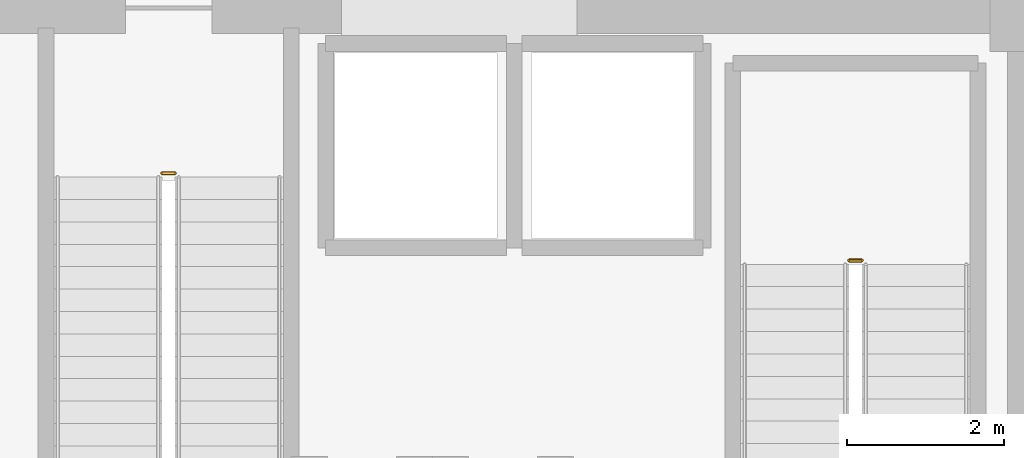
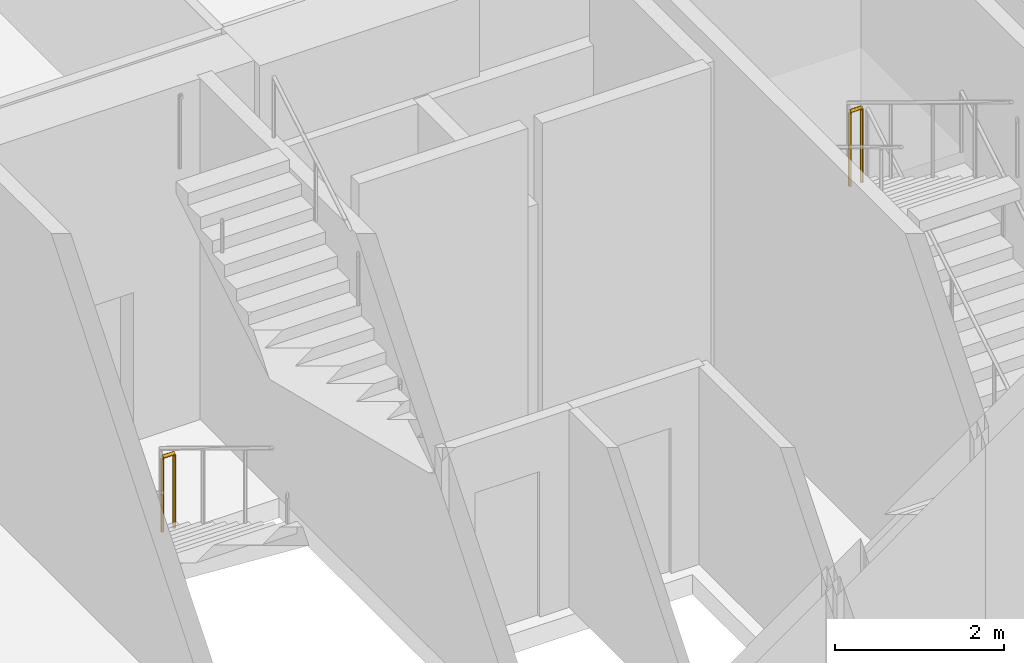
# One storey, part 43 of 45: 2 railings.
"""IFC4 building model written with IfcOpenShell, lengths in metres."""

from ifc_helpers import new_model, si_unit, direction, frame, origin, origin_2d, place, context, subcontext, project, spatial, circle, extrude, material, type_object, element, save


model = new_model("IFC4")

# Units and contexts
model_context = context("Model", 3, precision=1e-05, world=origin(), true_north=direction((0.0, 1.0)))
body_context = subcontext(model_context, "Body", "Model", "MODEL_VIEW")
ifc_project = project(units=[si_unit("LENGTHUNIT", "METRE"), si_unit("AREAUNIT", "SQUARE_METRE"), si_unit("VOLUMEUNIT", "CUBIC_METRE"), si_unit("PLANEANGLEUNIT", "RADIAN"), si_unit("MASSUNIT", "GRAM", prefix="KILO")], contexts=[model_context])

# Site, building, storey
site_placement = place(None, origin())
site = spatial("IfcSite", under=ifc_project, at=site_placement, CompositionType="ELEMENT")
building_placement = place(site_placement, origin())
building = spatial("IfcBuilding", under=site, at=building_placement, Name="Kovane Verandah Tower", CompositionType="ELEMENT")
storey_placement = place(building_placement, frame((0.0, 0.0, 6.0)))
storey = spatial("IfcBuildingStorey", under=building, at=storey_placement, Name="L01", CompositionType="ELEMENT", Elevation=6.0)

# Railings
ifc_material = material(Name="Painted Steel Stairwell Guardrail", Category="steel")
railing_type = type_object("IfcRailingType", Name="RL-STGUARD-1120", PredefinedType="GUARDRAIL", material=ifc_material)
railing_1_placement = place(storey_placement, frame((48.820068359375, 33.2900390625, 2.60009765625)))
element("IfcRailing", 1, at=railing_1_placement, inside=storey, type_object=railing_type, Name="L01 ST-02 stair guard 2", PredefinedType="GUARDRAIL", context=body_context, shape_type="SweptSolid", body=[
    extrude(circle(Radius=0.02392578125, at=origin_2d()), frame((0.0, 0.0, 1.076171875), z_axis=(-1.0, 0.0, 0.0), x_axis=(0.0, -1.0, 0.0)), (0.0, 0.0, 1.0), 0.16015625),
    extrude(circle(Radius=0.02099609375, at=origin_2d()), origin(), (0.0, 0.0, 1.0), 1.052001953125),
    extrude(circle(Radius=0.02099609375, at=origin_2d()), frame((-0.16015625, 0.0, 0.0)), (0.0, 0.0, 1.0), 1.052001953125),
])
railing_2_placement = place(storey_placement, frame((39.919921875, 34.39990234375, 0.0)))
element("IfcRailing", 2, at=railing_2_placement, inside=storey, type_object=railing_type, Name="L01 ST-03 stair guard 4", PredefinedType="GUARDRAIL", context=body_context, shape_type="SweptSolid", body=[
    extrude(circle(Radius=0.02392578125, at=origin_2d()), frame((0.0, 0.0, 1.076171875), z_axis=(1.0, 0.0, 0.0), x_axis=(0.0, 1.0, 0.0)), (0.0, 0.0, 1.0), 0.16015625),
    extrude(circle(Radius=0.02099609375, at=origin_2d()), origin(), (0.0, 0.0, 1.0), 1.052001953125),
    extrude(circle(Radius=0.02099609375, at=origin_2d()), frame((0.16015625, 0.0, 0.0)), (0.0, 0.0, 1.0), 1.052001953125),
])

save(model, "model.ifc")
